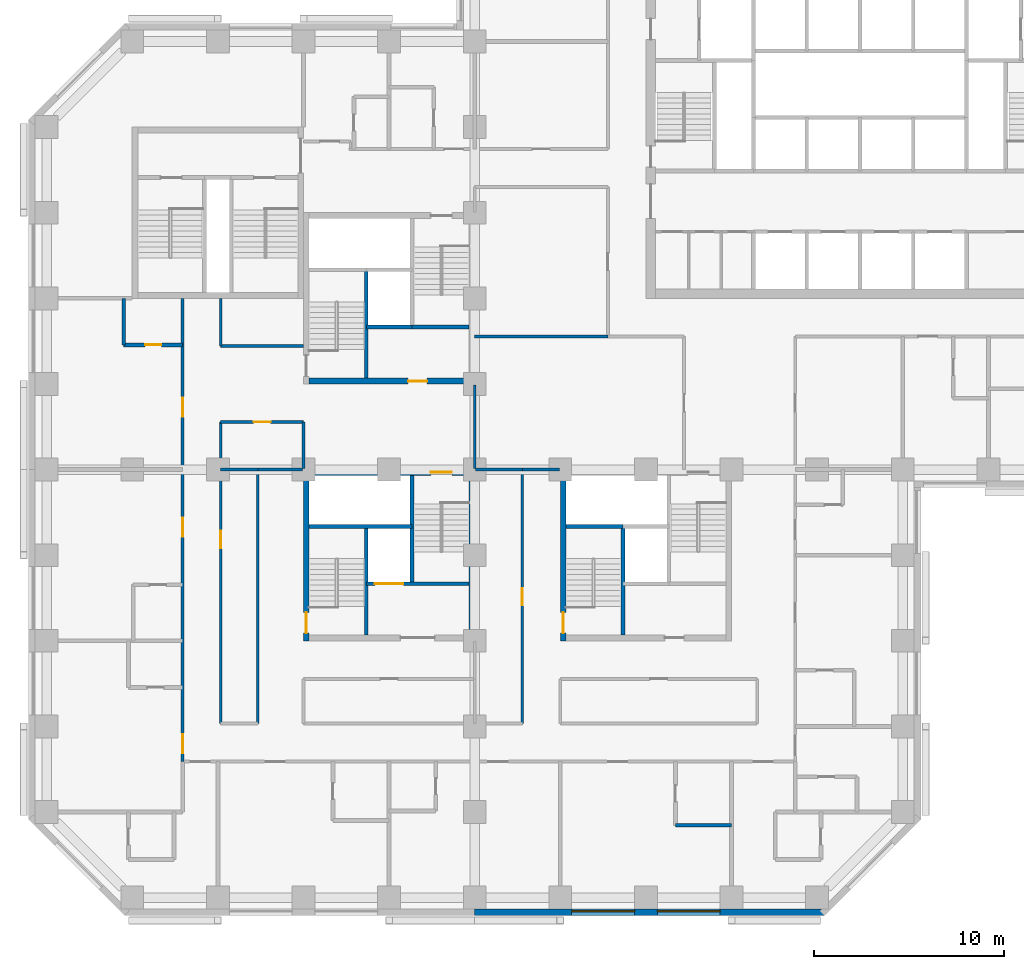
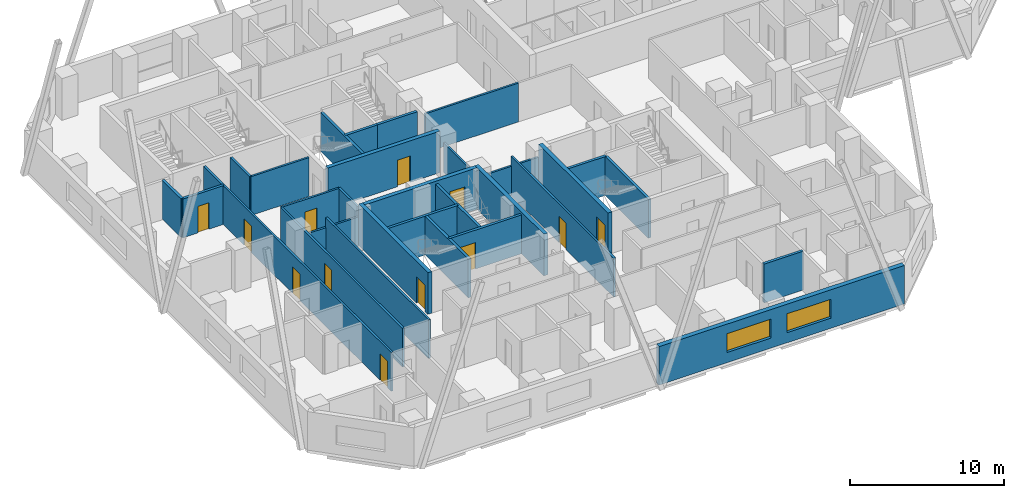
# One storey, part 4 of 13: 32 walls, 12 doors, 2 windows, 14 openings.
"""IFC4 building model written with IfcOpenShell, lengths in metres."""

from ifc_helpers import new_model, si_unit, direction, frame, frame_2d, origin, place, context, subcontext, project, spatial, rectangle, extrude, material, layer, layer_set, constituent, constituent_set, type_object, element, fill, save


model = new_model("IFC4")

# Units and contexts
model_context = context("Model", 3, precision=1e-05, world=origin(), true_north=direction((0.0, 1.0)))
body_context = subcontext(model_context, "Body", "Model", "MODEL_VIEW")
ifc_project = project(units=[si_unit("LENGTHUNIT", "METRE"), si_unit("AREAUNIT", "SQUARE_METRE"), si_unit("VOLUMEUNIT", "CUBIC_METRE"), si_unit("PLANEANGLEUNIT", "RADIAN"), si_unit("MASSUNIT", "GRAM", prefix="KILO")], contexts=[model_context])

# Site, building, storey
site_placement = place(None, origin())
site = spatial("IfcSite", under=ifc_project, at=site_placement, CompositionType="ELEMENT")
building_placement = place(site_placement, origin())
building = spatial("IfcBuilding", under=site, at=building_placement, Name="Quoin Convention Tower", CompositionType="ELEMENT")
storey_placement = place(building_placement, frame((0.0, 0.0, 39.60009765625)))
storey = spatial("IfcBuildingStorey", under=building, at=storey_placement, Name="L09", CompositionType="ELEMENT", Elevation=39.60009765625)

# Wall, openings, windows
ifc_material_1 = material(Name="Brick masonry", Category="masonry")
ifc_layer_1 = layer(ifc_material_1, 0.35009765625)
ifc_layer_set_1 = layer_set([ifc_layer_1], Name="Brick masonry")
wall_type_1 = type_object("IfcWallType", Name="Brick facade wall", PredefinedType="STANDARD", material=ifc_layer_set_1)
wall_1_placement = place(storey_placement, frame((36.0, 17.22509765625, 0.0), z_axis=(0.0, 0.0, 1.0), x_axis=(1.0, 0.0, 0.0)))
wall_1 = element("IfcWall", 1, at=wall_1_placement, inside=storey, type_object=wall_type_1, Name="fw-L09-36000_18000", PredefinedType="STANDARD", context=body_context, shape_type="SweptSolid", body=[
    extrude(rectangle(XDim=18.3935546875, YDim=0.35009765625, at=frame_2d((9.19677734375, 0.0))), origin(), (0.0, 0.0, 1.0), 3.054931640625),
])
opening_1_placement = place(wall_1_placement, frame((5.10009765625, 0.0, 0.800048828125)))
opening_1 = element("IfcOpeningElement", 2, at=opening_1_placement, cuts=wall_1, Name="Opening W-01", PredefinedType="OPENING", context=body_context, shape_type="SweptSolid", body=[
    extrude(rectangle(XDim=3.300048828125, YDim=1.5, at=frame_2d((1.64990234375, 0.75))), frame((0.0, 0.18505859375, 0.0), z_axis=(0.0, -1.0, 0.0), x_axis=(1.0, 0.0, 0.0)), (0.0, 0.0, 1.0), 0.3701171875),
])
opening_2_placement = place(wall_1_placement, frame((9.60009765625, 0.0, 0.800048828125)))
opening_2 = element("IfcOpeningElement", 3, at=opening_2_placement, cuts=wall_1, Name="Opening W-01", PredefinedType="OPENING", context=body_context, shape_type="SweptSolid", body=[
    extrude(rectangle(XDim=3.300048828125, YDim=1.5, at=frame_2d((1.64990234375, 0.75))), frame((0.0, 0.18505859375, 0.0), z_axis=(0.0, -1.0, 0.0), x_axis=(1.0, 0.0, 0.0)), (0.0, 0.0, 1.0), 0.3701171875),
])
ifc_material_2 = material(Name="Aluminium", Category="aluminium")
ifc_constituent_1 = constituent(ifc_material_2, Name="Frame")
ifc_material_3 = material(Name="Insulated glass", Category="glass")
ifc_constituent_2 = constituent(ifc_material_3, Name="Glazing")
ifc_constituent_set = constituent_set(constituents=[ifc_constituent_1, ifc_constituent_2], Name="Aluminium")
window_type = type_object("IfcWindowType", Name="Hotel strip window", PartitioningType="DOUBLE_PANEL_VERTICAL", PredefinedType="WINDOW", material=ifc_constituent_set)
window_1_placement = place(opening_1_placement, origin())
window_1 = element("IfcWindow", 4, at=window_1_placement, inside=storey, type_object=window_type, Name="win-L09-42750_17225", OverallHeight=1.5, OverallWidth=3.300048828125, PartitioningType="SINGLE_PANEL", PredefinedType="WINDOW", context=body_context, shape_type="SweptSolid", body=[
    extrude(rectangle(XDim=3.300048828125, YDim=1.5, at=frame_2d((1.64990234375, 0.75))), frame((0.0, 0.0849609375, 0.0), z_axis=(0.0, -1.0, 0.0), x_axis=(1.0, 0.0, 0.0)), (0.0, 0.0, 1.0), 0.06005859375),
])
fill(opening_1, window_1)
window_2_placement = place(opening_2_placement, origin())
window_2 = element("IfcWindow", 5, at=window_2_placement, inside=storey, type_object=window_type, Name="win-L09-47250_17225", OverallHeight=1.5, OverallWidth=3.300048828125, PartitioningType="SINGLE_PANEL", PredefinedType="WINDOW", context=body_context, shape_type="SweptSolid", body=[
    extrude(rectangle(XDim=3.300048828125, YDim=1.5, at=frame_2d((1.64990234375, 0.75))), frame((0.0, 0.0849609375, 0.0), z_axis=(0.0, -1.0, 0.0), x_axis=(1.0, 0.0, 0.0)), (0.0, 0.0, 1.0), 0.06005859375),
])
fill(opening_2, window_2)

# Walls
ifc_material_4 = material(Name="Concrete C50", Category="concrete")
ifc_layer_2 = layer(ifc_material_4, 0.199951171875)
ifc_layer_set_2 = layer_set([ifc_layer_2], Name="Concrete C50")
wall_type_2 = type_object("IfcWallType", Name="Core shaft wall", PredefinedType="SOLIDWALL", material=ifc_layer_set_2)
wall_2_placement = place(storey_placement, frame((30.300048828125, 48.0, 0.0), z_axis=(0.0, 0.0, 1.0), x_axis=(1.0, 0.0, 0.0)))
element("IfcWall", 6, at=wall_2_placement, inside=storey, type_object=wall_type_2, Name="cr-P2-L09-h3000_3300", PredefinedType="SOLIDWALL", context=body_context, shape_type="SweptSolid", body=[
    extrude(rectangle(XDim=2.39990234375, YDim=0.199951171875, at=frame_2d((1.199951171875, 0.0))), origin(), (0.0, 0.0, 1.0), 3.079833984375),
])
wall_3_placement = place(storey_placement, frame((32.699951171875, 48.0, 0.0), z_axis=(0.0, 0.0, 1.0), x_axis=(1.0, 0.0, 0.0)))
element("IfcWall", 7, at=wall_3_placement, inside=storey, type_object=wall_type_2, Name="cr-P2-L09-h3000_5700", PredefinedType="SOLIDWALL", context=body_context, shape_type="SweptSolid", body=[
    extrude(rectangle(XDim=3.0, YDim=0.199951171875, at=frame_2d((1.5, 0.0))), origin(), (0.0, 0.0, 1.0), 3.079833984375),
])
wall_4_placement = place(storey_placement, frame((30.300048828125, 45.300048828125, 0.0), z_axis=(0.0, 0.0, 1.0), x_axis=(0.0, 1.0, 0.0)))
element("IfcWall", 8, at=wall_4_placement, inside=storey, type_object=wall_type_2, Name="cr-P2-L09-v3300_300", PredefinedType="SOLIDWALL", context=body_context, shape_type="SweptSolid", body=[
    extrude(rectangle(XDim=5.699951171875, YDim=0.199951171875, at=frame_2d((2.85009765625, 0.0))), origin(), (0.0, 0.0, 1.0), 3.079833984375),
])
wall_5_placement = place(storey_placement, frame((40.800048828125, 37.5, 0.0), z_axis=(0.0, 0.0, 1.0), x_axis=(1.0, 0.0, 0.0)))
element("IfcWall", 9, at=wall_5_placement, inside=storey, type_object=wall_type_2, Name="cr-P3-L09-h6000_300", PredefinedType="SOLIDWALL", context=body_context, shape_type="SweptSolid", body=[
    extrude(rectangle(XDim=3.0, YDim=0.199951171875, at=frame_2d((1.5, 0.0))), origin(), (0.0, 0.0, 1.0), 3.079833984375),
])
wall_6_placement = place(storey_placement, frame((43.800048828125, 31.800048828125, 0.0), z_axis=(0.0, 0.0, 1.0), x_axis=(0.0, 1.0, 0.0)))
element("IfcWall", 10, at=wall_6_placement, inside=storey, type_object=wall_type_2, Name="cr-P3-L09-v3300_300", PredefinedType="SOLIDWALL", context=body_context, shape_type="SweptSolid", body=[
    extrude(rectangle(XDim=5.699951171875, YDim=0.199951171875, at=frame_2d((2.85009765625, 0.0))), origin(), (0.0, 0.0, 1.0), 3.079833984375),
])

# Wall, opening, door
wall_7_placement = place(storey_placement, frame((30.300048828125, 34.5, 0.0), z_axis=(0.0, 0.0, 1.0), x_axis=(1.0, 0.0, 0.0)))
wall_7 = element("IfcWall", 11, at=wall_7_placement, inside=storey, type_object=wall_type_2, Name="cr-P4-L09-h3000_3300", PredefinedType="SOLIDWALL", context=body_context, shape_type="SweptSolid", body=[
    extrude(rectangle(XDim=5.39990234375, YDim=0.199951171875, at=frame_2d((2.699951171875, 0.0))), origin(), (0.0, 0.0, 1.0), 3.079833984375),
])
opening_3_placement = place(wall_7_placement, frame((0.449951171875, 0.0, 0.0)))
opening_3 = element("IfcOpeningElement", 12, at=opening_3_placement, cuts=wall_7, Name="Opening LDGL1", PredefinedType="OPENING", context=body_context, shape_type="SweptSolid", body=[
    extrude(rectangle(XDim=1.5, YDim=2.10009765625, at=frame_2d((0.75, 1.050048828125))), frame((0.0, 0.10986328125, 0.0), z_axis=(0.0, -1.0, 0.0), x_axis=(1.0, 0.0, 0.0)), (0.0, 0.0, 1.0), 0.219970703125),
])
ifc_material_5 = material(Name="Steel door leaf", Category="steel")
door_type_1 = type_object("IfcDoorType", Name="Lift landing door 1500 x 2100", OperationType="DOUBLE_DOOR_SLIDING", PredefinedType="DOOR", material=ifc_material_5)
door_1_placement = place(opening_3_placement, origin())
door_1 = element("IfcDoor", 13, at=door_1_placement, inside=storey, type_object=door_type_1, Name="cd-P4-L09-CEN-R2-LDGL1", OperationType="DOUBLE_DOOR_SLIDING", OverallHeight=2.10009765625, OverallWidth=1.5, PredefinedType="DOOR", context=body_context, shape_type="SweptSolid", body=[
    extrude(rectangle(XDim=1.5, YDim=2.10009765625, at=frame_2d((0.75, 1.050048828125))), frame((0.0, 0.02490234375, 0.0), z_axis=(0.0, -1.0, 0.0), x_axis=(1.0, 0.0, 0.0)), (0.0, 0.0, 1.0), 0.050048828125),
])
fill(opening_3, door_1)

# Walls
wall_8_placement = place(storey_placement, frame((27.300048828125, 37.5, 0.0), z_axis=(0.0, 0.0, 1.0), x_axis=(1.0, 0.0, 0.0)))
element("IfcWall", 14, at=wall_8_placement, inside=storey, type_object=wall_type_2, Name="cr-P4-L09-h6000_300", PredefinedType="SOLIDWALL", context=body_context, shape_type="SweptSolid", body=[
    extrude(rectangle(XDim=5.39990234375, YDim=0.199951171875, at=frame_2d((2.699951171875, 0.0))), origin(), (0.0, 0.0, 1.0), 3.079833984375),
])
for number, where, z_axis, x_axis, name in (
    (15, (30.300048828125, 31.800048828125, 0.0), (0.0, 0.0, 1.0), (0.0, 1.0, 0.0), "cr-P4-L09-v3300_300"),
    (16, (32.699951171875, 34.5, 0.0), (0.0, 0.0, 1.0), (0.0, 1.0, 0.0), "cr-P4-L09-v5700_3000"),
):
    element("IfcWall", number, at=place(storey_placement, frame(where, z_axis=z_axis, x_axis=x_axis)), inside=storey, type_object=wall_type_2, Name=name, PredefinedType="SOLIDWALL", context=body_context, shape_type="SweptSolid", body=[
        extrude(rectangle(XDim=5.699951171875, YDim=0.199951171875, at=frame_2d((2.85009765625, 0.0))), origin(), (0.0, 0.0, 1.0), 3.079833984375),
    ])

# Wall, opening, door
ifc_material_6 = material(Name="Concrete C80", Category="concrete")
ifc_layer_3 = layer(ifc_material_6, 0.300048828125)
ifc_layer_set_3 = layer_set([ifc_layer_3], Name="Concrete C80")
wall_type_3 = type_object("IfcWallType", Name="RC CORE WALL 300 C80", PredefinedType="SHEAR", material=ifc_layer_set_3)
wall_9_placement = place(storey_placement, frame((27.300048828125, 45.14990234375, 0.0), z_axis=(0.0, 0.0, 1.0), x_axis=(1.0, 0.0, 0.0)))
wall_9 = element("IfcWall", 17, at=wall_9_placement, inside=storey, type_object=wall_type_3, Name="cwl-P2-L09-S", PredefinedType="SHEAR", context=body_context, shape_type="SweptSolid", body=[
    extrude(rectangle(XDim=8.39990234375, YDim=0.300048828125, at=frame_2d((4.199951171875, 0.0))), origin(), (0.0, 0.0, 1.0), 3.2998046875),
])
opening_4_placement = place(wall_9_placement, frame((5.199951171875, 0.0, 0.0)))
opening_4 = element("IfcOpeningElement", 18, at=opening_4_placement, cuts=wall_9, Name="Opening DCV3-41", PredefinedType="OPENING", context=body_context, shape_type="SweptSolid", body=[
    extrude(rectangle(XDim=1.0, YDim=2.10009765625, at=frame_2d((0.5, 1.050048828125))), frame((0.0, 0.159912109375, 0.0), z_axis=(0.0, -1.0, 0.0), x_axis=(1.0, 0.0, 0.0)), (0.0, 0.0, 1.0), 0.320068359375),
])
door_type_2 = type_object("IfcDoorType", Name="Service door 1000 x 2100", OperationType="SINGLE_SWING_LEFT", PredefinedType="DOOR", material=ifc_material_5)
door_2_placement = place(opening_4_placement, origin())
door_2 = element("IfcDoor", 19, at=door_2_placement, inside=storey, type_object=door_type_2, Name="cd-P2-L09-R2-S", OperationType="SINGLE_SWING_LEFT", OverallHeight=2.10009765625, OverallWidth=1.0, PredefinedType="DOOR", context=body_context, shape_type="SweptSolid", body=[
    extrude(rectangle(XDim=1.0, YDim=2.10009765625, at=frame_2d((0.5, 1.050048828125))), frame((0.0, 0.02490234375, 0.0), z_axis=(0.0, -1.0, 0.0), x_axis=(1.0, 0.0, 0.0)), (0.0, 0.0, 1.0), 0.050048828125),
])
fill(opening_4, door_2)

wall_10_placement = place(storey_placement, frame((40.64990234375, 31.5, 0.0), z_axis=(0.0, 0.0, 1.0), x_axis=(0.0, 1.0, 0.0)))
wall_10 = element("IfcWall", 20, at=wall_10_placement, inside=storey, type_object=wall_type_3, Name="cwl-P3-L09-W", PredefinedType="SHEAR", context=body_context, shape_type="SweptSolid", body=[
    extrude(rectangle(XDim=9.0, YDim=0.300048828125, at=frame_2d((4.5, 0.0))), origin(), (0.0, 0.0, 1.0), 3.2998046875),
])
opening_5_placement = place(wall_10_placement, frame((0.39990234375, 0.0, 0.0)))
opening_5 = element("IfcOpeningElement", 21, at=opening_5_placement, cuts=wall_10, Name="Opening SD5", PredefinedType="OPENING", context=body_context, shape_type="SweptSolid", body=[
    extrude(rectangle(XDim=1.10009765625, YDim=2.10009765625, at=frame_2d((0.550048828125, 1.050048828125))), frame((0.0, 0.159912109375, 0.0), z_axis=(0.0, -1.0, 0.0), x_axis=(1.0, 0.0, 0.0)), (0.0, 0.0, 1.0), 0.320068359375),
])
door_type_3 = type_object("IfcDoorType", Name="Stair door 1100 x 2100", OperationType="SINGLE_SWING_RIGHT", PredefinedType="DOOR", material=ifc_material_5)
door_3_placement = place(opening_5_placement, frame((1.10009765625, 0.0, 0.0), z_axis=(0.0, 0.0, 1.0), x_axis=(-1.0, 0.0, 0.0)))
door_3 = element("IfcDoor", 22, at=door_3_placement, inside=storey, type_object=door_type_3, Name="cd-P3-L09-SA-W", OperationType="SINGLE_SWING_RIGHT", OverallHeight=2.10009765625, OverallWidth=1.10009765625, PredefinedType="DOOR", context=body_context, shape_type="SweptSolid", body=[
    extrude(rectangle(XDim=1.10009765625, YDim=2.10009765625, at=frame_2d((0.550048828125, 1.050048828125))), frame((0.0, 0.02490234375, 0.0), z_axis=(0.0, -1.0, 0.0), x_axis=(1.0, 0.0, 0.0)), (0.0, 0.0, 1.0), 0.050048828125),
])
fill(opening_5, door_3)

wall_11_placement = place(storey_placement, frame((27.300048828125, 40.35009765625, 0.0), z_axis=(0.0, 0.0, 1.0), x_axis=(1.0, 0.0, 0.0)))
wall_11 = element("IfcWall", 23, at=wall_11_placement, inside=storey, type_object=wall_type_3, Name="cwl-P4-L09-N", PredefinedType="SHEAR", context=body_context, shape_type="SweptSolid", body=[
    extrude(rectangle(XDim=8.39990234375, YDim=0.300048828125, at=frame_2d((4.199951171875, 0.0))), origin(), (0.0, 0.0, 1.0), 3.2998046875),
])
opening_6_placement = place(wall_11_placement, frame((6.39990234375, 0.0, 0.0)))
opening_6 = element("IfcOpeningElement", 24, at=opening_6_placement, cuts=wall_11, Name="Opening SD8", PredefinedType="OPENING", context=body_context, shape_type="SweptSolid", body=[
    extrude(rectangle(XDim=1.10009765625, YDim=2.10009765625, at=frame_2d((0.550048828125, 1.050048828125))), frame((0.0, 0.159912109375, 0.0), z_axis=(0.0, -1.0, 0.0), x_axis=(1.0, 0.0, 0.0)), (0.0, 0.0, 1.0), 0.320068359375),
])
door_4_placement = place(opening_6_placement, frame((1.10009765625, 0.0, 0.0), z_axis=(0.0, 0.0, 1.0), x_axis=(-1.0, 0.0, 0.0)))
door_4 = element("IfcDoor", 25, at=door_4_placement, inside=storey, type_object=door_type_3, Name="cd-P4-L09-SB-N", OperationType="SINGLE_SWING_LEFT", OverallHeight=2.10009765625, OverallWidth=1.10009765625, PredefinedType="DOOR", context=body_context, shape_type="SweptSolid", body=[
    extrude(rectangle(XDim=1.10009765625, YDim=2.10009765625, at=frame_2d((0.550048828125, 1.050048828125))), frame((0.0, 0.02490234375, 0.0), z_axis=(0.0, -1.0, 0.0), x_axis=(1.0, 0.0, 0.0)), (0.0, 0.0, 1.0), 0.050048828125),
])
fill(opening_6, door_4)

wall_12_placement = place(storey_placement, frame((27.14990234375, 31.5, 0.0), z_axis=(0.0, 0.0, 1.0), x_axis=(0.0, 1.0, 0.0)))
wall_12 = element("IfcWall", 26, at=wall_12_placement, inside=storey, type_object=wall_type_3, Name="cwl-P4-L09-W", PredefinedType="SHEAR", context=body_context, shape_type="SweptSolid", body=[
    extrude(rectangle(XDim=9.0, YDim=0.300048828125, at=frame_2d((4.5, 0.0))), origin(), (0.0, 0.0, 1.0), 3.2998046875),
])
opening_7_placement = place(wall_12_placement, frame((0.39990234375, 0.0, 0.0)))
opening_7 = element("IfcOpeningElement", 27, at=opening_7_placement, cuts=wall_12, Name="Opening SD7", PredefinedType="OPENING", context=body_context, shape_type="SweptSolid", body=[
    extrude(rectangle(XDim=1.10009765625, YDim=2.10009765625, at=frame_2d((0.550048828125, 1.050048828125))), frame((0.0, 0.159912109375, 0.0), z_axis=(0.0, -1.0, 0.0), x_axis=(1.0, 0.0, 0.0)), (0.0, 0.0, 1.0), 0.320068359375),
])
door_5_placement = place(opening_7_placement, frame((1.10009765625, 0.0, 0.0), z_axis=(0.0, 0.0, 1.0), x_axis=(-1.0, 0.0, 0.0)))
door_5 = element("IfcDoor", 28, at=door_5_placement, inside=storey, type_object=door_type_3, Name="cd-P4-L09-SA-W", OperationType="SINGLE_SWING_RIGHT", OverallHeight=2.10009765625, OverallWidth=1.10009765625, PredefinedType="DOOR", context=body_context, shape_type="SweptSolid", body=[
    extrude(rectangle(XDim=1.10009765625, YDim=2.10009765625, at=frame_2d((0.550048828125, 1.050048828125))), frame((0.0, 0.02490234375, 0.0), z_axis=(0.0, -1.0, 0.0), x_axis=(1.0, 0.0, 0.0)), (0.0, 0.0, 1.0), 0.050048828125),
])
fill(opening_7, door_5)

# Walls
wall_13_placement = place(storey_placement, frame((35.85009765625, 31.5, 0.0), z_axis=(0.0, 0.0, 1.0), x_axis=(0.0, 1.0, 0.0)))
element("IfcWall", 29, at=wall_13_placement, inside=storey, type_object=wall_type_3, Name="cwl-P4-L09-E", PredefinedType="SHEAR", context=body_context, shape_type="SweptSolid", body=[
    extrude(rectangle(XDim=9.0, YDim=0.300048828125, at=frame_2d((4.5, 0.0))), origin(), (0.0, 0.0, 1.0), 3.2998046875),
])
ifc_layer_4 = layer(ifc_material_4, 0.199951171875)
ifc_layer_set_4 = layer_set([ifc_layer_4], Name="Concrete C50")
wall_type_4 = type_object("IfcWallType", Name="RC party wall", PredefinedType="SOLIDWALL", material=ifc_layer_set_4)
wall_14_placement = place(storey_placement, frame((46.550048828125, 21.800048828125, 0.0), z_axis=(0.0, 0.0, 1.0), x_axis=(1.0, 0.0, 0.0)))
element("IfcWall", 30, at=wall_14_placement, inside=storey, type_object=wall_type_4, Name="pw-L09-049", PredefinedType="SOLIDWALL", context=body_context, shape_type="SweptSolid", body=[
    extrude(rectangle(XDim=2.949951171875, YDim=0.199951171875, at=frame_2d((1.47509765625, 0.0))), origin(), (0.0, 0.0, 1.0), 3.079833984375),
])

# Wall, opening, door
wall_15_placement = place(storey_placement, frame((17.550048828125, 47.050048828125, 0.0), z_axis=(0.0, 0.0, 1.0), x_axis=(1.0, 0.0, 0.0)))
wall_15 = element("IfcWall", 31, at=wall_15_placement, inside=storey, type_object=wall_type_4, Name="pw-L09-086", PredefinedType="SOLIDWALL", context=body_context, shape_type="SweptSolid", body=[
    extrude(rectangle(XDim=3.099853515625, YDim=0.199951171875, at=frame_2d((1.5498046875, 0.0))), origin(), (0.0, 0.0, 1.0), 3.079833984375),
])
opening_8_placement = place(wall_15_placement, frame((1.125, 0.0, 0.0)))
opening_8 = element("IfcOpeningElement", 32, at=opening_8_placement, cuts=wall_15, Name="Opening DHOTEL-E-50", PredefinedType="OPENING", context=body_context, shape_type="SweptSolid", body=[
    extrude(rectangle(XDim=0.85009765625, YDim=2.10009765625, at=frame_2d((0.425048828125, 1.050048828125))), frame((0.0, 0.10986328125, 0.0), z_axis=(0.0, -1.0, 0.0), x_axis=(1.0, 0.0, 0.0)), (0.0, 0.0, 1.0), 0.219970703125),
])
door_type_4 = type_object("IfcDoorType", Name="Bathroom door", OperationType="SINGLE_SWING_LEFT", PredefinedType="DOOR", material=ifc_material_5)
door_6_placement = place(opening_8_placement, frame((0.85009765625, 0.0, 0.0), z_axis=(0.0, 0.0, 1.0), x_axis=(-1.0, 0.0, 0.0)))
door_6 = element("IfcDoor", 33, at=door_6_placement, inside=storey, type_object=door_type_4, Name="dr-L09-012", OperationType="SINGLE_SWING_LEFT", OverallHeight=2.10009765625, OverallWidth=0.85009765625, PredefinedType="DOOR", context=body_context, shape_type="SweptSolid", body=[
    extrude(rectangle(XDim=0.85009765625, YDim=2.10009765625, at=frame_2d((0.425048828125, 1.050048828125))), frame((0.0, 0.02490234375, 0.0), z_axis=(0.0, -1.0, 0.0), x_axis=(1.0, 0.0, 0.0)), (0.0, 0.0, 1.0), 0.050048828125),
])
fill(opening_8, door_6)

# Wall
wall_16_placement = place(storey_placement, frame((17.550048828125, 47.050048828125, 0.0), z_axis=(0.0, 0.0, 1.0), x_axis=(0.0, 1.0, 0.0)))
element("IfcWall", 34, at=wall_16_placement, inside=storey, type_object=wall_type_4, Name="pw-L09-087", PredefinedType="SOLIDWALL", context=body_context, shape_type="SweptSolid", body=[
    extrude(rectangle(XDim=2.449951171875, YDim=0.199951171875, at=frame_2d((1.22509765625, 0.0))), origin(), (0.0, 0.0, 1.0), 3.079833984375),
])

# Wall, openings, doors
ifc_material_7 = material(Name="Plasterboard")
ifc_layer_5 = layer(ifc_material_7, 0.012451171875, Name="Finish")
ifc_material_8 = material(Name="Steel stud framing", Category="steel")
ifc_layer_6 = layer(ifc_material_8, 0.125, Name="Structure")
ifc_layer_7 = layer(ifc_material_7, 0.012451171875, Name="Finish")
ifc_layer_set_5 = layer_set([ifc_layer_5, ifc_layer_6, ifc_layer_7], Name="Steel stud framing")
wall_type_5 = type_object("IfcWallType", Name="corridor partition", PredefinedType="PARTITIONING", material=ifc_layer_set_5)
wall_17_placement = place(storey_placement, frame((20.64990234375, 25.14990234375, 0.0), z_axis=(0.0, 0.0, 1.0), x_axis=(0.0, 1.0, 0.0)))
wall_17 = element("IfcWall", 35, at=wall_17_placement, inside=storey, type_object=wall_type_5, Name="pw-L09-006", PredefinedType="PARTITIONING", context=body_context, shape_type="SweptSolid", body=[
    extrude(rectangle(XDim=24.35009765625, YDim=0.14990234375, at=frame_2d((12.175048828125, 0.0))), origin(), (0.0, 0.0, 1.0), 3.079833984375),
])
opening_9_placement = place(wall_17_placement, frame((0.447021484375, 0.0, 0.0)))
opening_9 = element("IfcOpeningElement", 36, at=opening_9_placement, cuts=wall_17, Name="Opening DHOTEL-E-06", PredefinedType="OPENING", context=body_context, shape_type="SweptSolid", body=[
    extrude(rectangle(XDim=1.0, YDim=2.10009765625, at=frame_2d((0.5, 1.050048828125))), frame((0.0, 0.0849609375, 0.0), z_axis=(0.0, -1.0, 0.0), x_axis=(1.0, 0.0, 0.0)), (0.0, 0.0, 1.0), 0.169921875),
])
opening_10_placement = place(wall_17_placement, frame((11.824951171875, 0.0, 0.0)))
opening_10 = element("IfcOpeningElement", 37, at=opening_10_placement, cuts=wall_17, Name="Opening DHOTEL-E-07", PredefinedType="OPENING", context=body_context, shape_type="SweptSolid", body=[
    extrude(rectangle(XDim=1.0, YDim=2.10009765625, at=frame_2d((0.5, 1.050048828125))), frame((0.0, 0.0849609375, 0.0), z_axis=(0.0, -1.0, 0.0), x_axis=(1.0, 0.0, 0.0)), (0.0, 0.0, 1.0), 0.169921875),
])
opening_11_placement = place(wall_17_placement, frame((18.125, 0.0, 0.0)))
opening_11 = element("IfcOpeningElement", 38, at=opening_11_placement, cuts=wall_17, Name="Opening DHOTEL-E-08", PredefinedType="OPENING", context=body_context, shape_type="SweptSolid", body=[
    extrude(rectangle(XDim=1.0, YDim=2.10009765625, at=frame_2d((0.5, 1.050048828125))), frame((0.0, 0.0849609375, 0.0), z_axis=(0.0, -1.0, 0.0), x_axis=(1.0, 0.0, 0.0)), (0.0, 0.0, 1.0), 0.169921875),
])
door_type_5 = type_object("IfcDoorType", Name="Hotel room door", OperationType="SINGLE_SWING_LEFT", PredefinedType="DOOR", material=ifc_material_5)
door_7_placement = place(opening_9_placement, origin())
door_7 = element("IfcDoor", 39, at=door_7_placement, inside=storey, type_object=door_type_5, Name="dr-L09-007", OperationType="SINGLE_SWING_LEFT", OverallHeight=2.10009765625, OverallWidth=1.0, PredefinedType="DOOR", context=body_context, shape_type="SweptSolid", body=[
    extrude(rectangle(XDim=1.0, YDim=2.10009765625, at=frame_2d((0.5, 1.050048828125))), frame((0.0, 0.02490234375, 0.0), z_axis=(0.0, -1.0, 0.0), x_axis=(1.0, 0.0, 0.0)), (0.0, 0.0, 1.0), 0.050048828125),
])
fill(opening_9, door_7)
door_8_placement = place(opening_10_placement, origin())
door_8 = element("IfcDoor", 40, at=door_8_placement, inside=storey, type_object=door_type_5, Name="dr-L09-009", OperationType="SINGLE_SWING_RIGHT", OverallHeight=2.10009765625, OverallWidth=1.0, PredefinedType="DOOR", context=body_context, shape_type="SweptSolid", body=[
    extrude(rectangle(XDim=1.0, YDim=2.10009765625, at=frame_2d((0.5, 1.050048828125))), frame((0.0, 0.02490234375, 0.0), z_axis=(0.0, -1.0, 0.0), x_axis=(1.0, 0.0, 0.0)), (0.0, 0.0, 1.0), 0.050048828125),
])
fill(opening_10, door_8)
door_9_placement = place(opening_11_placement, origin())
door_9 = element("IfcDoor", 41, at=door_9_placement, inside=storey, type_object=door_type_5, Name="dr-L09-011", OperationType="SINGLE_SWING_RIGHT", OverallHeight=2.10009765625, OverallWidth=1.0, PredefinedType="DOOR", context=body_context, shape_type="SweptSolid", body=[
    extrude(rectangle(XDim=1.0, YDim=2.10009765625, at=frame_2d((0.5, 1.050048828125))), frame((0.0, 0.02490234375, 0.0), z_axis=(0.0, -1.0, 0.0), x_axis=(1.0, 0.0, 0.0)), (0.0, 0.0, 1.0), 0.050048828125),
])
fill(opening_11, door_9)

# Wall, opening, door
wall_18_placement = place(storey_placement, frame((22.64990234375, 27.14990234375, 0.0), z_axis=(0.0, 0.0, 1.0), x_axis=(0.0, 1.0, 0.0)))
wall_18 = element("IfcWall", 42, at=wall_18_placement, inside=storey, type_object=wall_type_5, Name="pw-L09-009", PredefinedType="PARTITIONING", context=body_context, shape_type="SweptSolid", body=[
    extrude(rectangle(XDim=15.85009765625, YDim=0.14990234375, at=frame_2d((7.925048828125, 0.0))), origin(), (0.0, 0.0, 1.0), 3.079833984375),
])
opening_12_placement = place(wall_18_placement, frame((9.22509765625, 0.0, 0.0)))
opening_12 = element("IfcOpeningElement", 43, at=opening_12_placement, cuts=wall_18, Name="Opening DHOTEL-E-13", PredefinedType="OPENING", context=body_context, shape_type="SweptSolid", body=[
    extrude(rectangle(XDim=0.89990234375, YDim=2.10009765625, at=frame_2d((0.449951171875, 1.050048828125))), frame((0.0, 0.0849609375, 0.0), z_axis=(0.0, -1.0, 0.0), x_axis=(1.0, 0.0, 0.0)), (0.0, 0.0, 1.0), 0.169921875),
])
door_type_6 = type_object("IfcDoorType", Name="Service room door", OperationType="SINGLE_SWING_LEFT", PredefinedType="DOOR", material=ifc_material_5)
door_10_placement = place(opening_12_placement, frame((0.89990234375, 0.0, 0.0), z_axis=(0.0, 0.0, 1.0), x_axis=(-1.0, 0.0, 0.0)))
door_10 = element("IfcDoor", 44, at=door_10_placement, inside=storey, type_object=door_type_6, Name="dr-L09-061", OperationType="SINGLE_SWING_LEFT", OverallHeight=2.10009765625, OverallWidth=0.89990234375, PredefinedType="DOOR", context=body_context, shape_type="SweptSolid", body=[
    extrude(rectangle(XDim=0.89990234375, YDim=2.10009765625, at=frame_2d((0.449951171875, 1.050048828125))), frame((0.0, 0.02490234375, 0.0), z_axis=(0.0, -1.0, 0.0), x_axis=(1.0, 0.0, 0.0)), (0.0, 0.0, 1.0), 0.050048828125),
])
fill(opening_12, door_10)

# Wall
wall_19_placement = place(storey_placement, frame((24.60009765625, 27.14990234375, 0.0), z_axis=(0.0, 0.0, 1.0), x_axis=(0.0, 1.0, 0.0)))
element("IfcWall", 45, at=wall_19_placement, inside=storey, type_object=wall_type_5, Name="pw-L09-010", PredefinedType="PARTITIONING", context=body_context, shape_type="SweptSolid", body=[
    extrude(rectangle(XDim=13.35009765625, YDim=0.14990234375, at=frame_2d((6.675048828125, 0.0))), origin(), (0.0, 0.0, 1.0), 3.079833984375),
])

# Wall, opening, door
wall_20_placement = place(storey_placement, frame((38.5, 27.14990234375, 0.0), z_axis=(0.0, 0.0, 1.0), x_axis=(0.0, 1.0, 0.0)))
wall_20 = element("IfcWall", 46, at=wall_20_placement, inside=storey, type_object=wall_type_5, Name="pw-L09-013", PredefinedType="PARTITIONING", context=body_context, shape_type="SweptSolid", body=[
    extrude(rectangle(XDim=13.35009765625, YDim=0.14990234375, at=frame_2d((6.675048828125, 0.0))), origin(), (0.0, 0.0, 1.0), 3.079833984375),
])
opening_13_placement = place(wall_20_placement, frame((6.22509765625, 0.0, 0.0)))
opening_13 = element("IfcOpeningElement", 47, at=opening_13_placement, cuts=wall_20, Name="Opening DHOTEL-E-14", PredefinedType="OPENING", context=body_context, shape_type="SweptSolid", body=[
    extrude(rectangle(XDim=0.89990234375, YDim=2.10009765625, at=frame_2d((0.449951171875, 1.050048828125))), frame((0.0, 0.0849609375, 0.0), z_axis=(0.0, -1.0, 0.0), x_axis=(1.0, 0.0, 0.0)), (0.0, 0.0, 1.0), 0.169921875),
])
door_type_7 = type_object("IfcDoorType", Name="Single room door", OperationType="SINGLE_SWING_RIGHT", PredefinedType="DOOR", material=ifc_material_5)
door_11_placement = place(opening_13_placement, origin())
door_11 = element("IfcDoor", 48, at=door_11_placement, inside=storey, type_object=door_type_7, Name="dr-L09-063", OperationType="SINGLE_SWING_RIGHT", OverallHeight=2.10009765625, OverallWidth=0.89990234375, PredefinedType="DOOR", context=body_context, shape_type="SweptSolid", body=[
    extrude(rectangle(XDim=0.89990234375, YDim=2.10009765625, at=frame_2d((0.449951171875, 1.050048828125))), frame((0.0, 0.02490234375, 0.0), z_axis=(0.0, -1.0, 0.0), x_axis=(1.0, 0.0, 0.0)), (0.0, 0.0, 1.0), 0.050048828125),
])
fill(opening_13, door_11)

# Wall
wall_21_placement = place(storey_placement, frame((27.0, 40.550048828125, 0.0), z_axis=(0.0, 0.0, 1.0), x_axis=(0.0, 1.0, 0.0)))
element("IfcWall", 49, at=wall_21_placement, inside=storey, type_object=wall_type_5, Name="pw-L09-022", PredefinedType="PARTITIONING", context=body_context, shape_type="SweptSolid", body=[
    extrude(rectangle(XDim=2.449951171875, YDim=0.14990234375, at=frame_2d((1.22509765625, 0.0))), origin(), (0.0, 0.0, 1.0), 3.079833984375),
])

# Wall, opening, door
wall_22_placement = place(storey_placement, frame((22.64990234375, 43.0, 0.0), z_axis=(0.0, 0.0, 1.0), x_axis=(1.0, 0.0, 0.0)))
wall_22 = element("IfcWall", 50, at=wall_22_placement, inside=storey, type_object=wall_type_5, Name="pw-L09-025", PredefinedType="PARTITIONING", context=body_context, shape_type="SweptSolid", body=[
    extrude(rectangle(XDim=4.35009765625, YDim=0.14990234375, at=frame_2d((2.175048828125, 0.0))), origin(), (0.0, 0.0, 1.0), 3.079833984375),
])
opening_14_placement = place(wall_22_placement, frame((1.72509765625, 0.0, 0.0)))
opening_14 = element("IfcOpeningElement", 51, at=opening_14_placement, cuts=wall_22, Name="Opening DHOTEL-E-18", PredefinedType="OPENING", context=body_context, shape_type="SweptSolid", body=[
    extrude(rectangle(XDim=0.89990234375, YDim=2.10009765625, at=frame_2d((0.449951171875, 1.050048828125))), frame((0.0, 0.0849609375, 0.0), z_axis=(0.0, -1.0, 0.0), x_axis=(1.0, 0.0, 0.0)), (0.0, 0.0, 1.0), 0.169921875),
])
door_type_8 = type_object("IfcDoorType", Name="Toilet door", OperationType="SINGLE_SWING_LEFT", PredefinedType="DOOR", material=ifc_material_5)
door_12_placement = place(opening_14_placement, frame((0.89990234375, 0.0, 0.0), z_axis=(0.0, 0.0, 1.0), x_axis=(-1.0, 0.0, 0.0)))
door_12 = element("IfcDoor", 52, at=door_12_placement, inside=storey, type_object=door_type_8, Name="dr-L09-066", OperationType="SINGLE_SWING_LEFT", OverallHeight=2.10009765625, OverallWidth=0.89990234375, PredefinedType="DOOR", context=body_context, shape_type="SweptSolid", body=[
    extrude(rectangle(XDim=0.89990234375, YDim=2.10009765625, at=frame_2d((0.449951171875, 1.050048828125))), frame((0.0, 0.02490234375, 0.0), z_axis=(0.0, -1.0, 0.0), x_axis=(1.0, 0.0, 0.0)), (0.0, 0.0, 1.0), 0.050048828125),
])
fill(opening_14, door_12)

# Walls
wall_23_placement = place(storey_placement, frame((22.64990234375, 47.0, 0.0), z_axis=(0.0, 0.0, 1.0), x_axis=(1.0, 0.0, 0.0)))
element("IfcWall", 53, at=wall_23_placement, inside=storey, type_object=wall_type_5, Name="pw-L09-026", PredefinedType="PARTITIONING", context=body_context, shape_type="SweptSolid", body=[
    extrude(rectangle(XDim=4.35009765625, YDim=0.14990234375, at=frame_2d((2.175048828125, 0.0))), origin(), (0.0, 0.0, 1.0), 3.079833984375),
])
wall_24_placement = place(storey_placement, frame((22.64990234375, 47.0, 0.0), z_axis=(0.0, 0.0, 1.0), x_axis=(0.0, 1.0, 0.0)))
element("IfcWall", 54, at=wall_24_placement, inside=storey, type_object=wall_type_5, Name="pw-L09-027", PredefinedType="PARTITIONING", context=body_context, shape_type="SweptSolid", body=[
    extrude(rectangle(XDim=2.5, YDim=0.14990234375, at=frame_2d((1.25, 0.0))), origin(), (0.0, 0.0, 1.0), 3.079833984375),
])
ifc_layer_8 = layer(ifc_material_7, 0.012451171875, Name="Finish")
ifc_layer_9 = layer(ifc_material_8, 0.125, Name="Structure")
ifc_layer_10 = layer(ifc_material_7, 0.012451171875, Name="Finish")
ifc_layer_set_6 = layer_set([ifc_layer_8, ifc_layer_9, ifc_layer_10], Name="Steel stud framing")
wall_type_6 = type_object("IfcWallType", Name="corridor partition under beam 750", PredefinedType="PARTITIONING", material=ifc_layer_set_6)
wall_25_placement = place(storey_placement, frame((24.60009765625, 40.5, 0.0), z_axis=(0.0, 0.0, 1.0), x_axis=(1.0, 0.0, 0.0)))
element("IfcWall", 55, at=wall_25_placement, inside=storey, type_object=wall_type_6, Name="pw-L09-020", PredefinedType="PARTITIONING", context=body_context, shape_type="SweptSolid", body=[
    extrude(rectangle(XDim=2.349853515625, YDim=0.14990234375, at=frame_2d((1.1748046875, 0.0))), origin(), (0.0, 0.0, 1.0), 2.329833984375),
])
wall_26_placement = place(storey_placement, frame((38.5, 40.5, 0.0), z_axis=(0.0, 0.0, 1.0), x_axis=(1.0, 0.0, 0.0)))
element("IfcWall", 56, at=wall_26_placement, inside=storey, type_object=wall_type_6, Name="pw-L09-021", PredefinedType="PARTITIONING", context=body_context, shape_type="SweptSolid", body=[
    extrude(rectangle(XDim=1.949951171875, YDim=0.14990234375, at=frame_2d((0.97509765625, 0.0))), origin(), (0.0, 0.0, 1.0), 2.329833984375),
])
wall_27_placement = place(storey_placement, frame((36.0, 40.550048828125, 0.0), z_axis=(0.0, 0.0, 1.0), x_axis=(0.0, 1.0, 0.0)))
element("IfcWall", 57, at=wall_27_placement, inside=storey, type_object=wall_type_6, Name="pw-L09-023", PredefinedType="PARTITIONING", context=body_context, shape_type="SweptSolid", body=[
    extrude(rectangle(XDim=4.39990234375, YDim=0.14990234375, at=frame_2d((2.199951171875, 0.0))), origin(), (0.0, 0.0, 1.0), 2.329833984375),
])
ifc_layer_11 = layer(ifc_material_7, 0.012451171875, Name="Finish")
ifc_layer_12 = layer(ifc_material_8, 0.125, Name="Structure")
ifc_layer_13 = layer(ifc_material_7, 0.012451171875, Name="Finish")
ifc_layer_set_7 = layer_set([ifc_layer_11, ifc_layer_12, ifc_layer_13], Name="Steel stud framing")
wall_type_7 = type_object("IfcWallType", Name="room partition", PredefinedType="PARTITIONING", material=ifc_layer_set_7)
wall_28_placement = place(storey_placement, frame((36.0, 47.5, 0.0), z_axis=(0.0, 0.0, 1.0), x_axis=(1.0, 0.0, 0.0)))
element("IfcWall", 58, at=wall_28_placement, inside=storey, type_object=wall_type_7, Name="pw-L09-148", PredefinedType="PARTITIONING", context=body_context, shape_type="SweptSolid", body=[
    extrude(rectangle(XDim=7.0, YDim=0.14990234375, at=frame_2d((3.5, 0.0))), origin(), (0.0, 0.0, 1.0), 3.079833984375),
])
ifc_layer_14 = layer(ifc_material_7, 0.012451171875, Name="Finish")
ifc_layer_15 = layer(ifc_material_8, 0.125, Name="Structure")
ifc_layer_16 = layer(ifc_material_7, 0.012451171875, Name="Finish")
ifc_layer_set_8 = layer_set([ifc_layer_14, ifc_layer_15, ifc_layer_16], Name="Steel stud framing")
wall_type_8 = type_object("IfcWallType", Name="room partition under beam 750", PredefinedType="PARTITIONING", material=ifc_layer_set_8)
wall_29_placement = place(storey_placement, frame((22.64990234375, 40.5, 0.0), z_axis=(0.0, 0.0, 1.0), x_axis=(1.0, 0.0, 0.0)))
element("IfcWall", 59, at=wall_29_placement, inside=storey, type_object=wall_type_8, Name="pw-L09-144", PredefinedType="PARTITIONING", context=body_context, shape_type="SweptSolid", body=[
    extrude(rectangle(XDim=1.9501953125, YDim=0.14990234375, at=frame_2d((0.97509765625, 0.0))), origin(), (0.0, 0.0, 1.0), 2.329833984375),
])
wall_30_placement = place(storey_placement, frame((36.050048828125, 40.5, 0.0), z_axis=(0.0, 0.0, 1.0), x_axis=(1.0, 0.0, 0.0)))
element("IfcWall", 60, at=wall_30_placement, inside=storey, type_object=wall_type_8, Name="pw-L09-145", PredefinedType="PARTITIONING", context=body_context, shape_type="SweptSolid", body=[
    extrude(rectangle(XDim=2.449951171875, YDim=0.14990234375, at=frame_2d((1.22509765625, 0.0))), origin(), (0.0, 0.0, 1.0), 2.329833984375),
])

save(model, "model.ifc")
